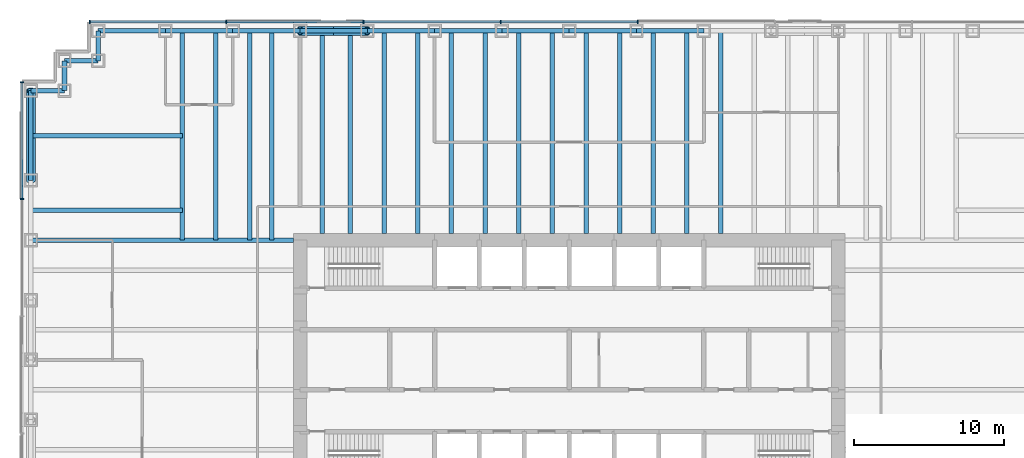
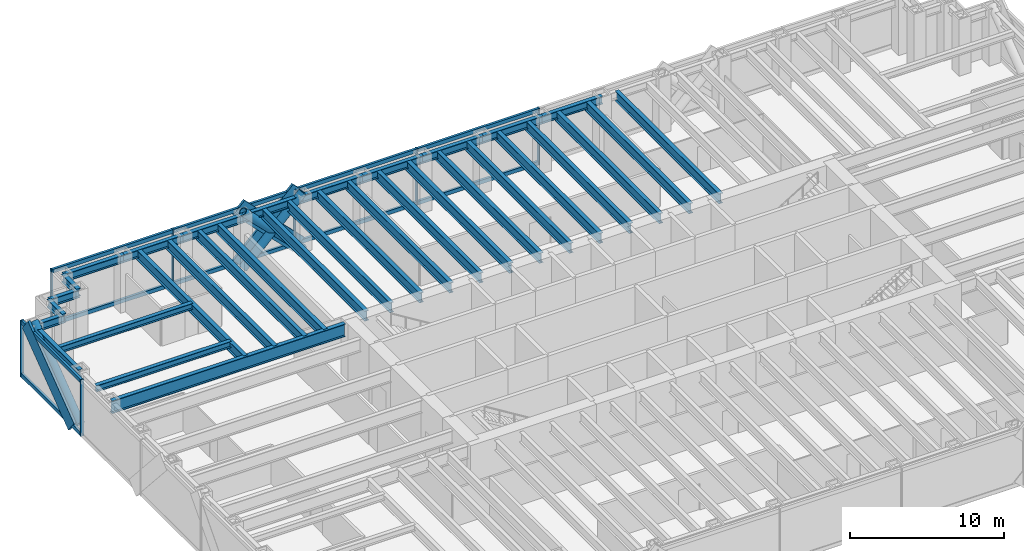
# One storey, part 5 of 13: 34 beams, 23 members, 2 elements without a shape of their own.
"""IFC4 building model written with IfcOpenShell, lengths in metres."""

from ifc_helpers import new_model, si_unit, direction, frame, origin, origin_2d, place, context, subcontext, project, spatial, rectangle, hollow_circle, i_section, extrude, material, material_profile, profile_set, type_object, element, aggregate, save


model = new_model("IFC4")

# Units and contexts
model_context = context("Model", 3, precision=1e-05, world=origin(), true_north=direction((0.0, 1.0)))
body_context = subcontext(model_context, "Body", "Model", "MODEL_VIEW")
ifc_project = project(units=[si_unit("LENGTHUNIT", "METRE"), si_unit("AREAUNIT", "SQUARE_METRE"), si_unit("VOLUMEUNIT", "CUBIC_METRE"), si_unit("PLANEANGLEUNIT", "RADIAN"), si_unit("MASSUNIT", "GRAM", prefix="KILO")], contexts=[model_context])

# Site, building, storey
site_placement = place(None, origin())
site = spatial("IfcSite", under=ifc_project, at=site_placement, CompositionType="ELEMENT")
building_placement = place(site_placement, origin())
building = spatial("IfcBuilding", under=site, at=building_placement, Name="Rheinbord Bourse Tower", CompositionType="ELEMENT")
storey_placement = place(building_placement, frame((0.0, 0.0, 77.0)))
storey = spatial("IfcBuildingStorey", under=building, at=storey_placement, Name="L16", CompositionType="ELEMENT", Elevation=77.0)

# Curtain wall, members
ifc_material_1 = material(Name="Dark glass and black aluminium", Category="aluminium")
curtain_wall_type = type_object("IfcCurtainWallType", Name="CW1 DARK GLASS CURTAIN WALL", PredefinedType="USERDEFINED", material=ifc_material_1)
curtain_wall_1_placement = place(storey_placement, origin())
curtain_wall_1 = element("IfcCurtainWall", 1, at=curtain_wall_1_placement, inside=storey, type_object=curtain_wall_type, Name="Curtain wall CW1 N L16", ObjectType="UNITISED CURTAIN WALL", PredefinedType="USERDEFINED")
ifc_material_2 = material(Name="Black anodised aluminium", Category="aluminium")
ifc_material_profile_1 = material_profile(ifc_material_2, rectangle(XDim=0.179931640625, YDim=1.2099609375, at=origin_2d()), Name="CW1 DIAGONAL MULLION 1210x180")
ifc_profile_set_1 = profile_set([ifc_material_profile_1], Name="Black anodised aluminium")
member_type_1 = type_object("IfcMemberType", Name="CW1 BLACK DIAGONAL MULLION", PredefinedType="USERDEFINED", material=ifc_profile_set_1)
member_1_placement = place(storey_placement, frame((18.0, 46.60009765625, 0.0), z_axis=(0.707106781187, 0.0, 0.707106781187), x_axis=(0.0, 1.0, 0.0)))
member_1 = element("IfcMember", 2, at=member_1_placement, type_object=member_type_1, Name="CW1 diagonal mullion b", ObjectType="DIAGONAL MULLION", PredefinedType="USERDEFINED", context=body_context, shape_type="SweptSolid", body=[
    extrude(rectangle(XDim=0.179931640625, YDim=1.2099609375, at=origin_2d()), origin(), (0.0, 0.0, 1.0), 6.364013671875),
])
member_2_placement = place(storey_placement, frame((22.5, 46.60009765625, 0.0), z_axis=(-0.707106781187, 0.0, 0.707106781187), x_axis=(0.0, -1.0, 0.0)))
member_2 = element("IfcMember", 3, at=member_2_placement, type_object=member_type_1, Name="CW1 diagonal mullion c", ObjectType="DIAGONAL MULLION", PredefinedType="USERDEFINED", context=body_context, shape_type="SweptSolid", body=[
    extrude(rectangle(XDim=0.179931640625, YDim=1.2099609375, at=origin_2d()), origin(), (0.0, 0.0, 1.0), 6.364013671875),
])

# Curtain wall, member
curtain_wall_2_placement = place(storey_placement, origin())
curtain_wall_2 = element("IfcCurtainWall", 4, at=curtain_wall_2_placement, inside=storey, type_object=curtain_wall_type, Name="Curtain wall CW1 W L16", ObjectType="UNITISED CURTAIN WALL", PredefinedType="USERDEFINED")
member_3_placement = place(storey_placement, frame((-0.60009765625, 36.0, 0.0), z_axis=(0.0, 0.8, 0.6), x_axis=(-1.0, 0.0, 0.0)))
member_3 = element("IfcMember", 5, at=member_3_placement, type_object=member_type_1, Name="CW1 diagonal mullion b", ObjectType="DIAGONAL MULLION", PredefinedType="USERDEFINED", context=body_context, shape_type="SweptSolid", body=[
    extrude(rectangle(XDim=0.179931640625, YDim=1.2099609375, at=origin_2d()), origin(), (0.0, 0.0, 1.0), 7.5),
])

# Member
ifc_material_3 = material(Name="Black anodised aluminium", Category="aluminium")
ifc_material_profile_2 = material_profile(ifc_material_3, rectangle(XDim=0.25, YDim=0.080078125, at=origin_2d()), Name="CW1 MULLION 80x250")
ifc_profile_set_2 = profile_set([ifc_material_profile_2], Name="Black anodised aluminium")
member_type_2 = type_object("IfcMemberType", Name="CW1 BLACK MULLION", PredefinedType="MULLION", material=ifc_profile_set_2)
member_4_placement = place(storey_placement, frame((40.585693359375, 46.60009765625, 0.0), z_axis=(0.0, 0.0, 1.0), x_axis=(0.0, -1.0, 0.0)))
member_4 = element("IfcMember", 6, at=member_4_placement, type_object=member_type_2, Name="CW1 mullion 4", PredefinedType="MULLION", context=body_context, shape_type="SweptSolid", body=[
    extrude(rectangle(XDim=0.25, YDim=0.080078125, at=origin_2d()), origin(), (0.0, 0.0, 1.0), 4.5),
])

member_5_placement = place(storey_placement, frame((31.414306640625, 46.60009765625, 0.0), z_axis=(0.0, 0.0, 1.0), x_axis=(0.0, -1.0, 0.0)))
member_5 = element("IfcMember", 7, at=member_5_placement, type_object=member_type_2, Name="CW1 mullion 5", PredefinedType="MULLION", context=body_context, shape_type="SweptSolid", body=[
    extrude(rectangle(XDim=0.25, YDim=0.080078125, at=origin_2d()), origin(), (0.0, 0.0, 1.0), 4.5),
])

member_6_placement = place(storey_placement, frame((22.242919921875, 46.60009765625, 0.0), z_axis=(0.0, 0.0, 1.0), x_axis=(0.0, -1.0, 0.0)))
member_6 = element("IfcMember", 8, at=member_6_placement, type_object=member_type_2, Name="CW1 mullion 6", PredefinedType="MULLION", context=body_context, shape_type="SweptSolid", body=[
    extrude(rectangle(XDim=0.25, YDim=0.080078125, at=origin_2d()), origin(), (0.0, 0.0, 1.0), 4.5),
])

member_7_placement = place(storey_placement, frame((13.071533203125, 46.60009765625, 0.0), z_axis=(0.0, 0.0, 1.0), x_axis=(0.0, -1.0, 0.0)))
member_7 = element("IfcMember", 9, at=member_7_placement, type_object=member_type_2, Name="CW1 mullion 7", PredefinedType="MULLION", context=body_context, shape_type="SweptSolid", body=[
    extrude(rectangle(XDim=0.25, YDim=0.080078125, at=origin_2d()), origin(), (0.0, 0.0, 1.0), 4.5),
])

member_8_placement = place(storey_placement, frame((3.93994140625, 46.60009765625, 0.0), z_axis=(0.0, 0.0, 1.0), x_axis=(0.0, -1.0, 0.0)))
member_8 = element("IfcMember", 10, at=member_8_placement, type_object=member_type_2, Name="CW1 mullion 8", PredefinedType="MULLION", context=body_context, shape_type="SweptSolid", body=[
    extrude(rectangle(XDim=0.25, YDim=0.080078125, at=origin_2d()), origin(), (0.0, 0.0, 1.0), 4.5),
])

member_9_placement = place(storey_placement, frame((-0.60009765625, 42.56005859375, 0.0), z_axis=(0.0, 0.0, 1.0), x_axis=(1.0, 0.0, 0.0)))
member_9 = element("IfcMember", 11, at=member_9_placement, type_object=member_type_2, Name="CW1 mullion 1", PredefinedType="MULLION", context=body_context, shape_type="SweptSolid", body=[
    extrude(rectangle(XDim=0.25, YDim=0.080078125, at=origin_2d()), origin(), (0.0, 0.0, 1.0), 4.5),
])

member_10_placement = place(storey_placement, frame((-0.60009765625, 34.760009765625, 0.0), z_axis=(0.0, 0.0, 1.0), x_axis=(1.0, 0.0, 0.0)))
member_10 = element("IfcMember", 12, at=member_10_placement, type_object=member_type_2, Name="CW1 mullion 2", PredefinedType="MULLION", context=body_context, shape_type="SweptSolid", body=[
    extrude(rectangle(XDim=0.25, YDim=0.080078125, at=origin_2d()), origin(), (0.0, 0.0, 1.0), 4.5),
])

ifc_material_4 = material(Name="Black anodised aluminium", Category="aluminium")
ifc_material_profile_3 = material_profile(ifc_material_4, rectangle(XDim=0.179931640625, YDim=0.300048828125, at=origin_2d()), Name="CW1 TRANSOM 300x180")
ifc_profile_set_3 = profile_set([ifc_material_profile_3], Name="Black anodised aluminium")
member_type_3 = type_object("IfcMemberType", Name="CW1 BLACK TRANSOM", PredefinedType="USERDEFINED", material=ifc_profile_set_3)
member_11_placement = place(storey_placement, frame((40.545654296875, 46.60009765625, 0.14990234375), z_axis=(-1.0, 0.0, 0.0), x_axis=(0.0, -1.0, 0.0)))
member_11 = element("IfcMember", 13, at=member_11_placement, type_object=member_type_3, Name="CW1 transom 4.1", ObjectType="TRANSOM", PredefinedType="USERDEFINED", context=body_context, shape_type="SweptSolid", body=[
    extrude(rectangle(XDim=0.179931640625, YDim=0.300048828125, at=origin_2d()), origin(), (0.0, 0.0, 1.0), 9.09130859375),
])

member_12_placement = place(storey_placement, frame((40.545654296875, 46.60009765625, 4.35009765625), z_axis=(-1.0, 0.0, 0.0), x_axis=(0.0, -1.0, 0.0)))
member_12 = element("IfcMember", 14, at=member_12_placement, type_object=member_type_3, Name="CW1 transom 4.2", ObjectType="TRANSOM", PredefinedType="USERDEFINED", context=body_context, shape_type="SweptSolid", body=[
    extrude(rectangle(XDim=0.179931640625, YDim=0.300048828125, at=origin_2d()), origin(), (0.0, 0.0, 1.0), 9.09130859375),
])

member_13_placement = place(storey_placement, frame((31.374267578125, 46.60009765625, 0.14990234375), z_axis=(-1.0, 0.0, 0.0), x_axis=(0.0, -1.0, 0.0)))
member_13 = element("IfcMember", 15, at=member_13_placement, type_object=member_type_3, Name="CW1 transom 5.1", ObjectType="TRANSOM", PredefinedType="USERDEFINED", context=body_context, shape_type="SweptSolid", body=[
    extrude(rectangle(XDim=0.179931640625, YDim=0.300048828125, at=origin_2d()), origin(), (0.0, 0.0, 1.0), 9.09130859375),
])

member_14_placement = place(storey_placement, frame((31.374267578125, 46.60009765625, 4.35009765625), z_axis=(-1.0, 0.0, 0.0), x_axis=(0.0, -1.0, 0.0)))
member_14 = element("IfcMember", 16, at=member_14_placement, type_object=member_type_3, Name="CW1 transom 5.2", ObjectType="TRANSOM", PredefinedType="USERDEFINED", context=body_context, shape_type="SweptSolid", body=[
    extrude(rectangle(XDim=0.179931640625, YDim=0.300048828125, at=origin_2d()), origin(), (0.0, 0.0, 1.0), 9.09130859375),
])

member_15_placement = place(storey_placement, frame((22.202880859375, 46.60009765625, 0.14990234375), z_axis=(-1.0, 0.0, 0.0), x_axis=(0.0, -1.0, 0.0)))
member_15 = element("IfcMember", 17, at=member_15_placement, type_object=member_type_3, Name="CW1 transom 6.1", ObjectType="TRANSOM", PredefinedType="USERDEFINED", context=body_context, shape_type="SweptSolid", body=[
    extrude(rectangle(XDim=0.179931640625, YDim=0.300048828125, at=origin_2d()), origin(), (0.0, 0.0, 1.0), 9.091552734375),
])

member_16_placement = place(storey_placement, frame((22.202880859375, 46.60009765625, 4.35009765625), z_axis=(-1.0, 0.0, 0.0), x_axis=(0.0, -1.0, 0.0)))
member_16 = element("IfcMember", 18, at=member_16_placement, type_object=member_type_3, Name="CW1 transom 6.2", ObjectType="TRANSOM", PredefinedType="USERDEFINED", context=body_context, shape_type="SweptSolid", body=[
    extrude(rectangle(XDim=0.179931640625, YDim=0.300048828125, at=origin_2d()), origin(), (0.0, 0.0, 1.0), 9.091552734375),
])

member_17_placement = place(storey_placement, frame((13.031494140625, 46.60009765625, 0.14990234375), z_axis=(-1.0, 0.0, 0.0), x_axis=(0.0, -1.0, 0.0)))
member_17 = element("IfcMember", 19, at=member_17_placement, type_object=member_type_3, Name="CW1 transom 7.1", ObjectType="TRANSOM", PredefinedType="USERDEFINED", context=body_context, shape_type="SweptSolid", body=[
    extrude(rectangle(XDim=0.179931640625, YDim=0.300048828125, at=origin_2d()), origin(), (0.0, 0.0, 1.0), 9.051513671875),
])

member_18_placement = place(storey_placement, frame((13.031494140625, 46.60009765625, 4.35009765625), z_axis=(-1.0, 0.0, 0.0), x_axis=(0.0, -1.0, 0.0)))
member_18 = element("IfcMember", 20, at=member_18_placement, type_object=member_type_3, Name="CW1 transom 7.2", ObjectType="TRANSOM", PredefinedType="USERDEFINED", context=body_context, shape_type="SweptSolid", body=[
    extrude(rectangle(XDim=0.179931640625, YDim=0.300048828125, at=origin_2d()), origin(), (0.0, 0.0, 1.0), 9.051513671875),
])

aggregate(curtain_wall_1, [member_4, member_5, member_6, member_7, member_8, member_11, member_12, member_13, member_14, member_15, member_16, member_17, member_18, member_1, member_2])

member_19_placement = place(storey_placement, frame((-0.60009765625, 42.52001953125, 0.14990234375), z_axis=(0.0, -1.0, 0.0), x_axis=(1.0, 0.0, 0.0)))
member_19 = element("IfcMember", 21, at=member_19_placement, type_object=member_type_3, Name="CW1 transom 1.1", ObjectType="TRANSOM", PredefinedType="USERDEFINED", context=body_context, shape_type="SweptSolid", body=[
    extrude(rectangle(XDim=0.179931640625, YDim=0.300048828125, at=origin_2d()), origin(), (0.0, 0.0, 1.0), 7.719970703125),
])

member_20_placement = place(storey_placement, frame((-0.60009765625, 42.52001953125, 4.35009765625), z_axis=(0.0, -1.0, 0.0), x_axis=(1.0, 0.0, 0.0)))
member_20 = element("IfcMember", 22, at=member_20_placement, type_object=member_type_3, Name="CW1 transom 1.2", ObjectType="TRANSOM", PredefinedType="USERDEFINED", context=body_context, shape_type="SweptSolid", body=[
    extrude(rectangle(XDim=0.179931640625, YDim=0.300048828125, at=origin_2d()), origin(), (0.0, 0.0, 1.0), 7.719970703125),
])

aggregate(curtain_wall_2, [member_9, member_10, member_19, member_20, member_3])

# Beams
ifc_material_5 = material(Name="Steel S460", Category="steel")
ifc_material_profile_4 = material_profile(ifc_material_5, i_section(OverallWidth=0.300048828125, OverallDepth=0.800048828125, WebThickness=0.017578125, FlangeThickness=0.032958984375, at=origin_2d()), Name="HEB 800")
ifc_profile_set_4 = profile_set([ifc_material_profile_4], Name="Steel S460")
beam_type_1 = type_object("IfcBeamType", Name="FLOOR BEAM HEB 800", PredefinedType="BEAM", material=ifc_profile_set_4)
for number, where, z_axis, x_axis, name in (
    (23, (10.125, 46.0, 3.919921875), (0.0, -1.0, 0.0), (1.0, 0.0, 0.0), "Floor beam N-9a L17"),
    (24, (12.375, 46.0, 3.919921875), (0.0, -1.0, 0.0), (1.0, 0.0, 0.0), "Floor beam N-9b L17"),
    (25, (14.625, 46.0, 3.919921875), (0.0, -1.0, 0.0), (1.0, 0.0, 0.0), "Floor beam N-13.5a L17"),
    (26, (16.125, 46.0, 3.919921875), (0.0, -1.0, 0.0), (1.0, 0.0, 0.0), "Floor beam N-13.5b L17"),
):
    element("IfcBeam", number, at=place(storey_placement, frame(where, z_axis=z_axis, x_axis=x_axis)), inside=storey, type_object=beam_type_1, Name=name, PredefinedType="BEAM", context=body_context, shape_type="SweptSolid", body=[
        extrude(i_section(OverallWidth=0.300048828125, OverallDepth=0.800048828125, WebThickness=0.017578125, FlangeThickness=0.032958984375, at=origin_2d()), origin(), (0.0, 0.0, 1.0), 14.0),
    ])
for number, where, z_axis, x_axis, name in (
    (27, (19.5, 46.0, 3.919921875), (0.0, -1.0, 0.0), (1.0, 0.0, 0.0), "Floor beam N-18a L17"),
    (28, (21.375, 46.0, 3.919921875), (0.0, -1.0, 0.0), (1.0, 0.0, 0.0), "Floor beam N-18b L17"),
    (29, (23.625, 46.0, 3.919921875), (0.0, -1.0, 0.0), (1.0, 0.0, 0.0), "Floor beam N-22.5a L17"),
    (30, (25.875, 46.0, 3.919921875), (0.0, -1.0, 0.0), (1.0, 0.0, 0.0), "Floor beam N-22.5b L17"),
    (31, (28.125, 46.0, 3.919921875), (0.0, -1.0, 0.0), (1.0, 0.0, 0.0), "Floor beam N-27a L17"),
    (32, (30.375, 46.0, 3.919921875), (0.0, -1.0, 0.0), (1.0, 0.0, 0.0), "Floor beam N-27b L17"),
    (33, (32.625, 46.0, 3.919921875), (0.0, -1.0, 0.0), (1.0, 0.0, 0.0), "Floor beam N-31.5a L17"),
    (34, (34.875, 46.0, 3.919921875), (0.0, -1.0, 0.0), (1.0, 0.0, 0.0), "Floor beam N-31.5b L17"),
    (35, (37.125, 46.0, 3.919921875), (0.0, -1.0, 0.0), (1.0, 0.0, 0.0), "Floor beam N-36a L17"),
    (36, (39.375, 46.0, 3.919921875), (0.0, -1.0, 0.0), (1.0, 0.0, 0.0), "Floor beam N-36b L17"),
    (37, (41.625, 46.0, 3.919921875), (0.0, -1.0, 0.0), (1.0, 0.0, 0.0), "Floor beam N-40.5a L17"),
    (38, (43.875, 46.0, 3.919921875), (0.0, -1.0, 0.0), (1.0, 0.0, 0.0), "Floor beam N-40.5b L17"),
    (39, (46.125, 46.0, 3.919921875), (0.0, -1.0, 0.0), (1.0, 0.0, 0.0), "Floor beam N-45a L17"),
):
    element("IfcBeam", number, at=place(storey_placement, frame(where, z_axis=z_axis, x_axis=x_axis)), inside=storey, type_object=beam_type_1, Name=name, PredefinedType="BEAM", context=body_context, shape_type="SweptSolid", body=[
        extrude(i_section(OverallWidth=0.300048828125, OverallDepth=0.800048828125, WebThickness=0.017578125, FlangeThickness=0.032958984375, at=origin_2d()), origin(), (0.0, 0.0, 1.0), 13.550048828125),
    ])
ifc_material_6 = material(Name="Steel S460", Category="steel")
ifc_material_profile_5 = material_profile(ifc_material_6, i_section(OverallWidth=0.302001953125, OverallDepth=1.008056640625, WebThickness=0.02099609375, FlangeThickness=0.0400390625, at=origin_2d()), Name="HEM 1000")
ifc_profile_set_5 = profile_set([ifc_material_profile_5], Name="Steel S460")
beam_type_2 = type_object("IfcBeamType", Name="GIRDER HEM 1000", PredefinedType="BEAM", material=ifc_profile_set_5)
beam_1_placement = place(storey_placement, frame((0.0, 32.0, 3.81591796875), z_axis=(1.0, 0.0, 0.0), x_axis=(0.0, 1.0, 0.0)))
element("IfcBeam", 40, at=beam_1_placement, inside=storey, type_object=beam_type_2, Name="Girder west 32 L17", PredefinedType="BEAM", context=body_context, shape_type="SweptSolid", body=[
    extrude(i_section(OverallWidth=0.302001953125, OverallDepth=1.008056640625, WebThickness=0.02099609375, FlangeThickness=0.0400390625, at=origin_2d()), origin(), (0.0, 0.0, 1.0), 17.550048828125),
])

# Members
ifc_material_7 = material(Name="Steel S460", Category="steel")
ifc_material_profile_6 = material_profile(ifc_material_7, hollow_circle(Radius=0.304931640625, WallThickness=0.050048828125, at=origin_2d()), Name="CHS 610x50")
ifc_profile_set_6 = profile_set([ifc_material_profile_6], Name="Steel S460")
member_type_4 = type_object("IfcMemberType", Name="MEGABRACE CHS 610x50", PredefinedType="BRACE", material=ifc_profile_set_6)
for number, where, z_axis, x_axis, name in (
    (41, (18.0, 46.0, 0.0), (0.707106781187, 0.0, 0.707106781187), (0.0, 1.0, 0.0), "Megabrace N face line b L16"),
    (42, (22.5, 46.0, 0.0), (-0.707106781187, 0.0, 0.707106781187), (0.0, -1.0, 0.0), "Megabrace N face line c L16"),
):
    element("IfcMember", number, at=place(storey_placement, frame(where, z_axis=z_axis, x_axis=x_axis)), inside=storey, type_object=member_type_4, Name=name, PredefinedType="BRACE", context=body_context, shape_type="SweptSolid", body=[
        extrude(hollow_circle(Radius=0.304931640625, WallThickness=0.050048828125, at=origin_2d()), origin(), (0.0, 0.0, 1.0), 6.364013671875),
    ])
member_21_placement = place(storey_placement, frame((0.0, 36.0, 0.0), z_axis=(0.0, 0.8, 0.6), x_axis=(-1.0, 0.0, 0.0)))
element("IfcMember", 43, at=member_21_placement, inside=storey, type_object=member_type_4, Name="Megabrace W face line b L16", PredefinedType="BRACE", context=body_context, shape_type="SweptSolid", body=[
    extrude(hollow_circle(Radius=0.304931640625, WallThickness=0.050048828125, at=origin_2d()), origin(), (0.0, 0.0, 1.0), 7.5),
])

# Beams
ifc_material_8 = material(Name="Steel S460", Category="steel")
ifc_material_profile_7 = material_profile(ifc_material_8, i_section(OverallWidth=0.304931640625, OverallDepth=0.6201171875, WebThickness=0.02099609375, FlangeThickness=0.0400390625, at=origin_2d()), Name="HEM 600")
ifc_profile_set_7 = profile_set([ifc_material_profile_7], Name="Steel S460")
beam_type_3 = type_object("IfcBeamType", Name="SPANDREL HEM 600", PredefinedType="SPANDREL", material=ifc_profile_set_7)
for number, where, z_axis, x_axis, name in (
    (44, (45.0, 46.0, 4.010009765625), (-1.0, 0.0, 0.0), (0.0, -1.0, 0.0), "Spandrel N-45-N-40.5 under L17"),
    (45, (40.5, 46.0, 4.010009765625), (-1.0, 0.0, 0.0), (0.0, -1.0, 0.0), "Spandrel N-40.5-N-36 under L17"),
    (46, (36.0, 46.0, 4.010009765625), (-1.0, 0.0, 0.0), (0.0, -1.0, 0.0), "Spandrel N-36-N-31.5 under L17"),
    (47, (31.5, 46.0, 4.010009765625), (-1.0, 0.0, 0.0), (0.0, -1.0, 0.0), "Spandrel N-31.5-N-27 under L17"),
    (48, (27.0, 46.0, 4.010009765625), (-1.0, 0.0, 0.0), (0.0, -1.0, 0.0), "Spandrel N-27-N-22.5 under L17"),
    (49, (22.5, 46.0, 4.010009765625), (-1.0, 0.0, 0.0), (0.0, -1.0, 0.0), "Spandrel N-22.5-N-18 under L17"),
    (50, (18.0, 46.0, 4.010009765625), (-1.0, 0.0, 0.0), (0.0, -1.0, 0.0), "Spandrel N-18-N-13.5 under L17"),
    (51, (13.5, 46.0, 4.010009765625), (-1.0, 0.0, 0.0), (0.0, -1.0, 0.0), "Spandrel N-13.5-N-9 under L17"),
    (52, (9.0, 46.0, 4.010009765625), (-1.0, 0.0, 0.0), (0.0, -1.0, 0.0), "Spandrel N-9-NW-E under L17"),
):
    element("IfcBeam", number, at=place(storey_placement, frame(where, z_axis=z_axis, x_axis=x_axis)), inside=storey, type_object=beam_type_3, Name=name, PredefinedType="SPANDREL", context=body_context, shape_type="SweptSolid", body=[
        extrude(i_section(OverallWidth=0.304931640625, OverallDepth=0.6201171875, WebThickness=0.02099609375, FlangeThickness=0.0400390625, at=origin_2d()), origin(), (0.0, 0.0, 1.0), 4.5),
    ])
beam_2_placement = place(storey_placement, frame((4.5, 46.0, 4.010009765625), z_axis=(0.0, -1.0, 0.0), x_axis=(1.0, 0.0, 0.0)))
element("IfcBeam", 53, at=beam_2_placement, inside=storey, type_object=beam_type_3, Name="Spandrel NW-E-NW-D under L17", PredefinedType="SPANDREL", context=body_context, shape_type="SweptSolid", body=[
    extrude(i_section(OverallWidth=0.304931640625, OverallDepth=0.6201171875, WebThickness=0.02099609375, FlangeThickness=0.0400390625, at=origin_2d()), origin(), (0.0, 0.0, 1.0), 2.0),
])
beam_3_placement = place(storey_placement, frame((4.5, 44.0, 4.010009765625), z_axis=(-1.0, 0.0, 0.0), x_axis=(0.0, -1.0, 0.0)))
element("IfcBeam", 54, at=beam_3_placement, inside=storey, type_object=beam_type_3, Name="Spandrel NW-D-NW-C under L17", PredefinedType="SPANDREL", context=body_context, shape_type="SweptSolid", body=[
    extrude(i_section(OverallWidth=0.304931640625, OverallDepth=0.6201171875, WebThickness=0.02099609375, FlangeThickness=0.0400390625, at=origin_2d()), origin(), (0.0, 0.0, 1.0), 2.25),
])
beam_4_placement = place(storey_placement, frame((2.25, 44.0, 4.010009765625), z_axis=(0.0, -1.0, 0.0), x_axis=(1.0, 0.0, 0.0)))
element("IfcBeam", 55, at=beam_4_placement, inside=storey, type_object=beam_type_3, Name="Spandrel NW-C-NW-B under L17", PredefinedType="SPANDREL", context=body_context, shape_type="SweptSolid", body=[
    extrude(i_section(OverallWidth=0.304931640625, OverallDepth=0.6201171875, WebThickness=0.02099609375, FlangeThickness=0.0400390625, at=origin_2d()), origin(), (0.0, 0.0, 1.0), 2.0),
])
beam_5_placement = place(storey_placement, frame((2.25, 42.0, 4.010009765625), z_axis=(-1.0, 0.0, 0.0), x_axis=(0.0, -1.0, 0.0)))
element("IfcBeam", 56, at=beam_5_placement, inside=storey, type_object=beam_type_3, Name="Spandrel NW-B-NW-A under L17", PredefinedType="SPANDREL", context=body_context, shape_type="SweptSolid", body=[
    extrude(i_section(OverallWidth=0.304931640625, OverallDepth=0.6201171875, WebThickness=0.02099609375, FlangeThickness=0.0400390625, at=origin_2d()), origin(), (0.0, 0.0, 1.0), 2.25),
])
beam_6_placement = place(storey_placement, frame((0.0, 42.0, 4.010009765625), z_axis=(0.0, -1.0, 0.0), x_axis=(1.0, 0.0, 0.0)))
element("IfcBeam", 57, at=beam_6_placement, inside=storey, type_object=beam_type_3, Name="Spandrel NW-A-W-36 under L17", PredefinedType="SPANDREL", context=body_context, shape_type="SweptSolid", body=[
    extrude(i_section(OverallWidth=0.304931640625, OverallDepth=0.6201171875, WebThickness=0.02099609375, FlangeThickness=0.0400390625, at=origin_2d()), origin(), (0.0, 0.0, 1.0), 6.0),
])
ifc_material_9 = material(Name="Steel S460", Category="steel")
ifc_material_profile_8 = material_profile(ifc_material_9, i_section(OverallWidth=0.300048828125, OverallDepth=0.5, WebThickness=0.014404296875, FlangeThickness=0.028076171875, at=origin_2d()), Name="HEB 500")
ifc_profile_set_8 = profile_set([ifc_material_profile_8], Name="Steel S460")
beam_type_4 = type_object("IfcBeamType", Name="TIE BEAM HEB 500", PredefinedType="JOIST", material=ifc_profile_set_8)
for number, where, z_axis, x_axis, name in (
    (58, (0.0, 34.0, 4.070068359375), (1.0, 0.0, 0.0), (0.0, 1.0, 0.0), "Tie west 34 L17"),
    (59, (0.0, 39.0, 4.070068359375), (1.0, 0.0, 0.0), (0.0, 1.0, 0.0), "Tie west 39 L17"),
):
    element("IfcBeam", number, at=place(storey_placement, frame(where, z_axis=z_axis, x_axis=x_axis)), inside=storey, type_object=beam_type_4, Name=name, PredefinedType="JOIST", context=body_context, shape_type="SweptSolid", body=[
        extrude(i_section(OverallWidth=0.300048828125, OverallDepth=0.5, WebThickness=0.014404296875, FlangeThickness=0.028076171875, at=origin_2d()), origin(), (0.0, 0.0, 1.0), 10.125),
    ])

save(model, "model.ifc")
